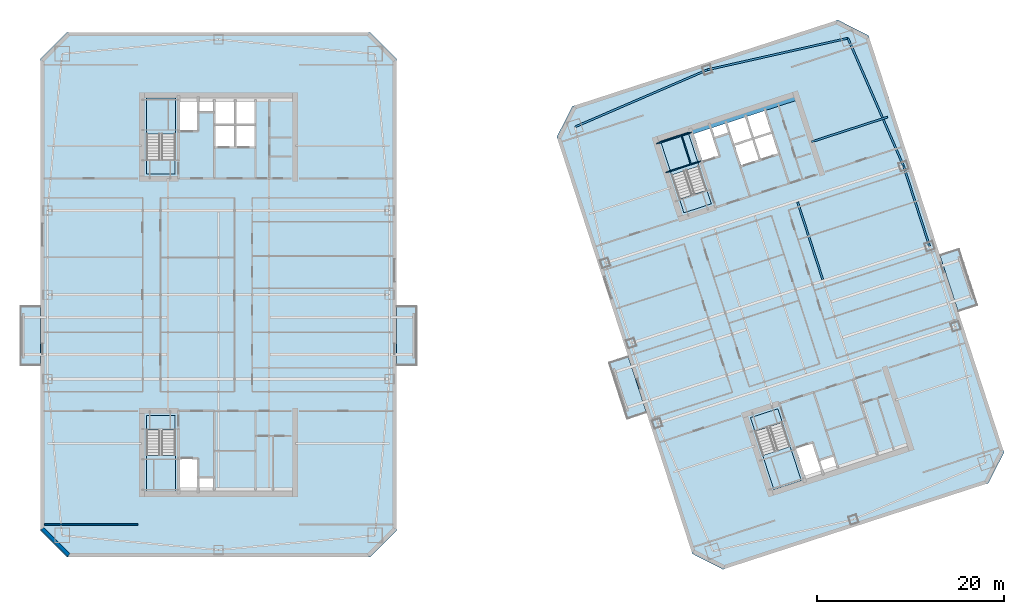
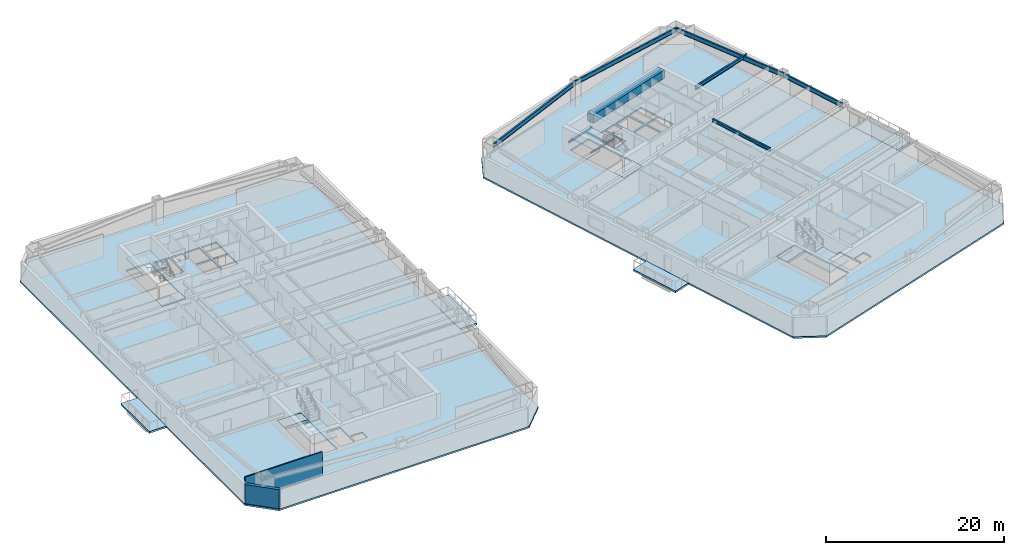
# One storey, part 3 of 14: 14 slabs, 10 beams, 2 walls, 4 elements without a shape of their own.
"""IFC4 building model written with IfcOpenShell, lengths in metres."""

from ifc_helpers import new_model, si_unit, direction, frame, frame_2d, origin, origin_2d, place, context, subcontext, project, spatial, polyline, rectangle, i_section, outline, extrude, material, layer, layer_set, material_profile, profile_set, type_object, element, aggregate, save


model = new_model("IFC4")

# Units and contexts
model_context = context("Model", 3, precision=1e-05, world=origin(), true_north=direction((0.0, 1.0)))
body_context = subcontext(model_context, "Body", "Model", "MODEL_VIEW")
ifc_project = project(units=[si_unit("LENGTHUNIT", "METRE"), si_unit("AREAUNIT", "SQUARE_METRE"), si_unit("VOLUMEUNIT", "CUBIC_METRE"), si_unit("PLANEANGLEUNIT", "RADIAN"), si_unit("MASSUNIT", "GRAM", prefix="KILO")], contexts=[model_context])

# Site, building, storey
site_placement = place(None, origin())
site = spatial("IfcSite", under=ifc_project, at=site_placement, CompositionType="ELEMENT")
building_placement = place(site_placement, origin())
building = spatial("IfcBuilding", under=site, at=building_placement, Name="Qiaolan Cultural Towers", CompositionType="ELEMENT")
storey_placement = place(building_placement, frame((0.0, 0.0, 124.199951171875)))
storey = spatial("IfcBuildingStorey", under=building, at=storey_placement, Name="L32", CompositionType="ELEMENT", Elevation=124.199951171875)

# Beams
ifc_material_1 = material(Name="Steel Q355B", Category="steel")
ifc_material_profile_1 = material_profile(ifc_material_1, i_section(OverallWidth=0.199951171875, OverallDepth=0.39990234375, WebThickness=0.008056640625, FlangeThickness=0.012939453125, at=origin_2d()), Name="HN400x200x8x13")
ifc_profile_set_1 = profile_set([ifc_material_profile_1], Name="Steel Q355B")
beam_type_1 = type_object("IfcBeamType", Name="BM-JST-HN400x200x8x13", PredefinedType="JOIST", material=ifc_profile_set_1)
beam_1_placement = place(storey_placement, frame((94.518798828125, 35.6259765625, 2.989990234375), z_axis=(-0.309020714809, 0.951055307445, 0.0), x_axis=(-0.951055307445, -0.309020714809, 0.0)))
element("IfcBeam", 1, at=beam_1_placement, inside=storey, type_object=beam_type_1, Name="L32 T2 Secondary Floor Joist U3-3", PredefinedType="JOIST", context=body_context, shape_type="SweptSolid", body=[
    extrude(i_section(OverallWidth=0.199951171875, OverallDepth=0.39990234375, WebThickness=0.008056640625, FlangeThickness=0.012939453125, at=origin_2d()), origin(), (0.0, 0.0, 1.0), 8.699951171875),
])
ifc_material_2 = material(Name="Steel Q355B", Category="steel")
ifc_material_profile_2 = material_profile(ifc_material_2, i_section(OverallWidth=0.199951171875, OverallDepth=0.449951171875, WebThickness=0.009033203125, FlangeThickness=0.013916015625, at=origin_2d()), Name="HN450x200x9x14")
ifc_profile_set_2 = profile_set([ifc_material_profile_2], Name="Steel Q355B")
beam_type_2 = type_object("IfcBeamType", Name="BM-LNT-HN450x200x9x14", PredefinedType="LINTEL", material=ifc_profile_set_2)
beam_2_placement = place(storey_placement, frame((93.31787109375, 50.32421875, 2.965087890625), z_axis=(0.951057358187, 0.309014403287, 0.0), x_axis=(-0.309014403287, 0.951057358187, 0.0)))
element("IfcBeam", 2, at=beam_2_placement, inside=storey, type_object=beam_type_2, Name="L32 T2 Core Flank Tie Lintel EN", PredefinedType="LINTEL", context=body_context, shape_type="SweptSolid", body=[
    extrude(i_section(OverallWidth=0.199951171875, OverallDepth=0.449951171875, WebThickness=0.009033203125, FlangeThickness=0.013916015625, at=origin_2d()), origin(), (0.0, 0.0, 1.0), 8.550048828125),
])
ifc_material_3 = material(Name="Concrete C50", Category="concrete")
ifc_material_profile_3 = material_profile(ifc_material_3, rectangle(XDim=0.89990234375, YDim=1.10009765625, at=origin_2d()), Name="RC900x1100")
ifc_profile_set_3 = profile_set([ifc_material_profile_3], Name="Concrete C50")
beam_type_3 = type_object("IfcBeamType", Name="BM-RC900x1100", PredefinedType="BEAM", material=ifc_profile_set_3)
beam_3_placement = place(storey_placement, frame((80.427978515625, 51.551025390625, 2.64013671875), z_axis=(0.951056266386, 0.309017763514, 0.0), x_axis=(-0.309017763514, 0.951056266386, 0.0)))
element("IfcBeam", 3, at=beam_3_placement, inside=storey, type_object=beam_type_3, Name="L32 T2 Core Header Girder N", PredefinedType="BEAM", context=body_context, shape_type="SweptSolid", body=[
    extrude(rectangle(XDim=0.89990234375, YDim=1.10009765625, at=origin_2d()), origin(), (0.0, 0.0, 1.0), 11.880126953125),
])
ifc_material_4 = material(Name="Steel Q355B", Category="steel")
ifc_material_profile_4 = material_profile(ifc_material_4, i_section(OverallWidth=0.199951171875, OverallDepth=0.60009765625, WebThickness=0.010986328125, FlangeThickness=0.01708984375, at=origin_2d()), Name="HN600x200x11x17")
ifc_profile_set_4 = profile_set([ifc_material_profile_4], Name="Steel Q355B")
beam_type_4 = type_object("IfcBeamType", Name="BM-SPD-HN600x200x11x17", PredefinedType="SPANDREL", material=ifc_profile_set_4)
beam_4_placement = place(storey_placement, frame((105.93017578125, 39.176025390625, 2.89013671875), z_axis=(-0.309024734286, 0.951054001411, 0.0), x_axis=(-0.951054001411, -0.309024734286, 0.0)))
element("IfcBeam", 4, at=beam_4_placement, inside=storey, type_object=beam_type_4, Name="L32 T2 Perimeter Spandrel Beam 5", PredefinedType="SPANDREL", context=body_context, shape_type="SweptSolid", body=[
    extrude(i_section(OverallWidth=0.199951171875, OverallDepth=0.60009765625, WebThickness=0.010986328125, FlangeThickness=0.01708984375, at=origin_2d()), origin(), (0.0, 0.0, 1.0), 9.0),
])
beam_5_placement = place(storey_placement, frame((103.14892578125, 47.735595703125, 2.89013671875), z_axis=(-0.398920370799, 0.916985571185, 0.0), x_axis=(-0.916985571185, -0.398920370799, 0.0)))
element("IfcBeam", 5, at=beam_5_placement, inside=storey, type_object=beam_type_4, Name="L32 T2 Perimeter Spandrel Beam 6", PredefinedType="SPANDREL", context=body_context, shape_type="SweptSolid", body=[
    extrude(i_section(OverallWidth=0.199951171875, OverallDepth=0.60009765625, WebThickness=0.010986328125, FlangeThickness=0.01708984375, at=origin_2d()), origin(), (0.0, 0.0, 1.0), 14.888916015625),
])
beam_6_placement = place(storey_placement, frame((97.20947265625, 61.388427734375, 2.89013671875), z_axis=(-0.975658154374, -0.219296980836, 0.0), x_axis=(0.219296980836, -0.975658154374, 0.0)))
element("IfcBeam", 6, at=beam_6_placement, inside=storey, type_object=beam_type_4, Name="L32 T2 Perimeter Spandrel Beam 7", PredefinedType="SPANDREL", context=body_context, shape_type="SweptSolid", body=[
    extrude(i_section(OverallWidth=0.199951171875, OverallDepth=0.60009765625, WebThickness=0.010986328125, FlangeThickness=0.01708984375, at=origin_2d()), origin(), (0.0, 0.0, 1.0), 15.38671875),
])
beam_7_placement = place(storey_placement, frame((82.197265625, 58.01416015625, 2.89013671875), z_axis=(-0.918217549337, -0.396076422032, 0.0), x_axis=(0.396076422032, -0.918217549337, 0.0)))
element("IfcBeam", 7, at=beam_7_placement, inside=storey, type_object=beam_type_4, Name="L32 T2 Perimeter Spandrel Beam 8", PredefinedType="SPANDREL", context=body_context, shape_type="SweptSolid", body=[
    extrude(i_section(OverallWidth=0.199951171875, OverallDepth=0.60009765625, WebThickness=0.010986328125, FlangeThickness=0.01708984375, at=origin_2d()), origin(), (0.0, 0.0, 1.0), 15.386474609375),
])
ifc_material_5 = material(Name="Steel Q355B", Category="steel")
ifc_material_profile_5 = material_profile(ifc_material_5, i_section(OverallWidth=0.10009765625, OverallDepth=0.199951171875, WebThickness=0.005615234375, FlangeThickness=0.008056640625, at=origin_2d()), Name="HN200x100x5.5x8")
ifc_profile_set_5 = profile_set([ifc_material_profile_5], Name="Steel Q355B")
beam_type_5 = type_object("IfcBeamType", Name="BM-STTRIM-200", PredefinedType="BEAM", material=ifc_profile_set_5)
for number, where, z_axis, x_axis, name in (
    (8, (77.769287109375, 47.0478515625, 1.425048828125), (0.951053746643, 0.309025518358, 0.0), (-0.309025518358, 0.951053746643, 0.0), "L32 ST-E2 Stair Landing Support Beam 1-1"),
    (9, (76.770751953125, 50.12109375, 1.425048828125), (0.951072048947, 0.3089691857, 0.0), (-0.3089691857, 0.951072048947, 0.0), "L32 ST-E2 Stair Landing Support Beam 1-2"),
):
    element("IfcBeam", number, at=place(storey_placement, frame(where, z_axis=z_axis, x_axis=x_axis)), inside=storey, type_object=beam_type_5, Name=name, PredefinedType="BEAM", context=body_context, shape_type="SweptSolid", body=[
        extrude(i_section(OverallWidth=0.10009765625, OverallDepth=0.199951171875, WebThickness=0.005615234375, FlangeThickness=0.008056640625, at=origin_2d()), origin(), (0.0, 0.0, 1.0), 3.920166015625),
    ])
beam_8_placement = place(storey_placement, frame((80.44189453125, 47.916259765625, 1.425048828125), z_axis=(-0.309033108495, 0.951051280349, 0.0), x_axis=(-0.951051280349, -0.309033108495, 0.0)))
element("IfcBeam", 10, at=beam_8_placement, inside=storey, type_object=beam_type_5, Name="L32 ST-E2 Stair Landing Trimmer 1", PredefinedType="BEAM", context=body_context, shape_type="SweptSolid", body=[
    extrude(i_section(OverallWidth=0.10009765625, OverallDepth=0.199951171875, WebThickness=0.005615234375, FlangeThickness=0.008056640625, at=origin_2d()), origin(), (0.0, 0.0, 1.0), 3.231201171875),
])

# Slabs
ifc_material_6 = material(Name="Concrete C45", Category="concrete")
ifc_layer_1 = layer(ifc_material_6, 0.239990234375)
ifc_layer_set_1 = layer_set([ifc_layer_1], Name="Concrete C45")
slab_type_1 = type_object("IfcSlabType", Name="SL-BAL-240", PredefinedType="FLOOR", material=ifc_layer_set_1)
slab_1_placement = place(storey_placement, frame((0.0, 0.0, -0.239990234375)))
element("IfcSlab", 11, at=slab_1_placement, inside=storey, type_object=slab_type_1, Name="L32 T1 Planted Tree Balcony W", PredefinedType="FLOOR", context=body_context, shape_type="SweptSolid", body=[
    extrude(outline(polyline([(8.800048828125, 26.39990234375), (11.0, 26.39990234375), (11.0, 32.800048828125), (8.800048828125, 32.800048828125), (8.800048828125, 26.39990234375)])), origin(), (0.0, 0.0, 1.0), 0.239990234375),
])
slab_2_placement = place(storey_placement, frame((0.0, 0.0, -0.239990234375)))
element("IfcSlab", 12, at=slab_2_placement, inside=storey, type_object=slab_type_1, Name="L32 T1 Planted Tree Balcony E", PredefinedType="FLOOR", context=body_context, shape_type="SweptSolid", body=[
    extrude(outline(polyline([(49.0, 26.39990234375), (51.199951171875, 26.39990234375), (51.199951171875, 32.800048828125), (49.0, 32.800048828125), (49.0, 26.39990234375)])), origin(), (0.0, 0.0, 1.0), 0.239990234375),
])
slab_3_placement = place(storey_placement, frame((0.0, 0.0, -0.239990234375)))
element("IfcSlab", 13, at=slab_3_placement, inside=storey, type_object=slab_type_1, Name="L32 T2 Planted Tree Balcony W", PredefinedType="FLOOR", context=body_context, shape_type="SweptSolid", body=[
    extrude(outline(polyline([(73.61279296875, 20.684326171875), (75.705078125, 21.3642578125), (73.727294921875, 27.450927734375), (71.635009765625, 26.77099609375), (73.61279296875, 20.684326171875)])), origin(), (0.0, 0.0, 1.0), 0.239990234375),
])
slab_4_placement = place(storey_placement, frame((0.0, 0.0, -0.239990234375)))
element("IfcSlab", 14, at=slab_4_placement, inside=storey, type_object=slab_type_1, Name="L32 T2 Planted Tree Balcony E", PredefinedType="FLOOR", context=body_context, shape_type="SweptSolid", body=[
    extrude(outline(polyline([(108.991943359375, 32.1796875), (111.084228515625, 32.859619140625), (109.106689453125, 38.9462890625), (107.014404296875, 38.2666015625), (108.991943359375, 32.1796875)])), origin(), (0.0, 0.0, 1.0), 0.239990234375),
])

# Stair, slab
ifc_material_7 = material(Name="Concrete C45", Category="concrete")
stair_type = type_object("IfcStairType", Name="STR-CORE-1500", PredefinedType="HALF_TURN_STAIR", material=ifc_material_7)
stair_1_placement = place(storey_placement, origin())
stair_1 = element("IfcStair", 15, at=stair_1_placement, inside=storey, type_object=stair_type, Name="L32 Smokeproof Exit Stair ST-W1", PredefinedType="HALF_TURN_STAIR")
ifc_material_8 = material(Name="Concrete C45", Category="concrete")
ifc_layer_2 = layer(ifc_material_8, 0.199951171875)
ifc_layer_set_2 = layer_set([ifc_layer_2], Name="Concrete C45")
slab_type_2 = type_object("IfcSlabType", Name="SL-STAIR-LAND", PredefinedType="LANDING", material=ifc_layer_set_2)
slab_5_placement = place(storey_placement, frame((0.0, 0.0, 1.525146484375)))
slab_5 = element("IfcSlab", 16, at=slab_5_placement, type_object=slab_type_2, Name="ST-W1 landing 1", PredefinedType="LANDING", context=body_context, shape_type="SweptSolid", body=[
    extrude(outline(polyline([(22.300048828125, 16.851318359375), (22.300048828125, 13.0), (25.3798828125, 13.0), (25.3798828125, 16.851318359375), (22.300048828125, 16.851318359375)])), origin(), (0.0, 0.0, 1.0), 0.199951171875),
])
aggregate(stair_1, [slab_5])

stair_2_placement = place(storey_placement, origin())
stair_2 = element("IfcStair", 17, at=stair_2_placement, inside=storey, type_object=stair_type, Name="L32 Smokeproof Exit Stair ST-W2", PredefinedType="HALF_TURN_STAIR")
slab_6_placement = place(storey_placement, frame((0.0, 0.0, 1.525146484375)))
slab_6 = element("IfcSlab", 18, at=slab_6_placement, type_object=slab_type_2, Name="ST-W2 landing 1", PredefinedType="LANDING", context=body_context, shape_type="SweptSolid", body=[
    extrude(outline(polyline([(25.3798828125, 51.148681640625), (25.3798828125, 55.0), (22.300048828125, 55.0), (22.300048828125, 51.148681640625), (25.3798828125, 51.148681640625)])), origin(), (0.0, 0.0, 1.0), 0.199951171875),
])
aggregate(stair_2, [slab_6])

stair_3_placement = place(storey_placement, origin())
stair_3 = element("IfcStair", 19, at=stair_3_placement, inside=storey, type_object=stair_type, Name="L32 Smokeproof Exit Stair ST-E1", PredefinedType="HALF_TURN_STAIR")
slab_7_placement = place(storey_placement, frame((0.0, 0.0, 1.525146484375)))
slab_7 = element("IfcSlab", 20, at=slab_7_placement, type_object=slab_type_2, Name="ST-E1 landing 1", PredefinedType="LANDING", context=body_context, shape_type="SweptSolid", body=[
    extrude(outline(polyline([(88.114013671875, 16.828125), (89.30419921875, 13.165283203125), (92.2333984375, 14.116943359375), (91.04345703125, 17.77978515625), (88.114013671875, 16.828125)])), origin(), (0.0, 0.0, 1.0), 0.199951171875),
])
aggregate(stair_3, [slab_7])

stair_4_placement = place(storey_placement, origin())
stair_4 = element("IfcStair", 21, at=stair_4_placement, inside=storey, type_object=stair_type, Name="L32 Smokeproof Exit Stair ST-E2", PredefinedType="HALF_TURN_STAIR")
slab_8_placement = place(storey_placement, frame((0.0, 0.0, 1.525146484375)))
slab_8 = element("IfcSlab", 22, at=slab_8_placement, type_object=slab_type_2, Name="ST-E2 landing 1", PredefinedType="LANDING", context=body_context, shape_type="SweptSolid", body=[
    extrude(outline(polyline([(81.31005859375, 47.735595703125), (80.1201171875, 51.3984375), (77.190673828125, 50.44677734375), (78.380859375, 46.783935546875), (81.31005859375, 47.735595703125)])), origin(), (0.0, 0.0, 1.0), 0.199951171875),
])
aggregate(stair_4, [slab_8])

# Slabs
ifc_material_9 = material(Name="Concrete C40", Category="concrete")
ifc_layer_3 = layer(ifc_material_9, 0.360107421875)
ifc_layer_set_3 = layer_set([ifc_layer_3], Name="Concrete C40")
slab_type_3 = type_object("IfcSlabType", Name="SL-STFLR-360", PredefinedType="LANDING", material=ifc_layer_set_3)
slab_9_placement = place(storey_placement, frame((0.0, 0.0, -0.35986328125)))
element("IfcSlab", 23, at=slab_9_placement, inside=storey, type_object=slab_type_3, Name="L32 ST-W1 Stair Floor Landing Slab", PredefinedType="LANDING", context=body_context, shape_type="SweptSolid", body=[
    extrude(outline(polyline([(22.302001953125, 21.097900390625), (22.302001953125, 19.548583984375), (25.3779296875, 19.548583984375), (25.3779296875, 21.097900390625), (22.302001953125, 21.097900390625)])), origin(), (0.0, 0.0, 1.0), 0.35986328125),
])
slab_10_placement = place(storey_placement, frame((0.0, 0.0, -0.35986328125)))
element("IfcSlab", 24, at=slab_10_placement, inside=storey, type_object=slab_type_3, Name="L32 ST-W2 Stair Floor Landing Slab", PredefinedType="LANDING", context=body_context, shape_type="SweptSolid", body=[
    extrude(outline(polyline([(25.3779296875, 46.902099609375), (25.3779296875, 48.451416015625), (22.302001953125, 48.451416015625), (22.302001953125, 46.902099609375), (25.3779296875, 46.902099609375)])), origin(), (0.0, 0.0, 1.0), 0.35986328125),
])
slab_11_placement = place(storey_placement, frame((0.0, 0.0, -0.35986328125)))
element("IfcSlab", 25, at=slab_11_placement, inside=storey, type_object=slab_type_3, Name="L32 ST-E1 Stair Floor Landing Slab", PredefinedType="LANDING", context=body_context, shape_type="SweptSolid", body=[
    extrude(outline(polyline([(86.8037109375, 20.867431640625), (87.282470703125, 19.39404296875), (90.2080078125, 20.3447265625), (89.729248046875, 21.818115234375), (86.8037109375, 20.867431640625)])), origin(), (0.0, 0.0, 1.0), 0.35986328125),
])
slab_12_placement = place(storey_placement, frame((0.0, 0.0, -0.35986328125)))
element("IfcSlab", 26, at=slab_12_placement, inside=storey, type_object=slab_type_3, Name="L32 ST-E2 Stair Floor Landing Slab", PredefinedType="LANDING", context=body_context, shape_type="SweptSolid", body=[
    extrude(outline(polyline([(82.62060546875, 43.6962890625), (82.141845703125, 45.169677734375), (79.21630859375, 44.21923828125), (79.695068359375, 42.74560546875), (82.62060546875, 43.6962890625)])), origin(), (0.0, 0.0, 1.0), 0.35986328125),
])
ifc_material_10 = material(Name="Concrete C45", Category="concrete")
ifc_layer_4 = layer(ifc_material_10, 0.219970703125)
ifc_layer_set_4 = layer_set([ifc_layer_4], Name="Concrete C45")
slab_type_4 = type_object("IfcSlabType", Name="SL-TYP-220", PredefinedType="FLOOR", material=ifc_layer_set_4)
slab_13_placement = place(storey_placement, frame((0.0, 0.0, -0.219970703125)))
element("IfcSlab", 27, at=slab_13_placement, inside=storey, type_object=slab_type_4, Name="L32 West Tower Floor Slab", PredefinedType="FLOOR", context=body_context, shape_type="SweptSolid", body=[
    extrude(outline(polyline([(13.800048828125, 6.0), (46.199951171875, 6.0), (49.0, 8.800048828125), (49.0, 59.199951171875), (46.199951171875, 62.0), (13.800048828125, 62.0), (11.0, 59.199951171875), (11.0, 8.800048828125), (13.800048828125, 6.0)]), holes=[polyline([(22.300048828125, 21.10009765625), (22.300048828125, 13.0), (25.3798828125, 13.0), (25.3798828125, 21.10009765625), (22.300048828125, 21.10009765625)]), polyline([(25.3798828125, 46.89990234375), (25.3798828125, 55.0), (22.300048828125, 55.0), (22.300048828125, 46.89990234375), (25.3798828125, 46.89990234375)]), polyline([(25.89990234375, 13.199951171875), (27.75, 13.199951171875), (27.75, 16.449951171875), (25.89990234375, 16.449951171875), (25.89990234375, 13.199951171875)]), polyline([(27.93994140625, 13.25), (29.449951171875, 13.25), (29.449951171875, 14.419921875), (27.93994140625, 14.419921875), (27.93994140625, 13.25)]), polyline([(25.89990234375, 51.550048828125), (27.75, 51.550048828125), (27.75, 54.800048828125), (25.89990234375, 54.800048828125), (25.89990234375, 51.550048828125)]), polyline([(27.93994140625, 53.580078125), (29.449951171875, 53.580078125), (29.449951171875, 54.75), (27.93994140625, 54.75), (27.93994140625, 53.580078125)]), polyline([(29.679931640625, 49.820068359375), (31.679931640625, 49.820068359375), (31.679931640625, 52.080078125), (29.679931640625, 52.080078125), (29.679931640625, 49.820068359375)]), polyline([(31.8798828125, 49.820068359375), (33.820068359375, 49.820068359375), (33.820068359375, 52.080078125), (31.8798828125, 52.080078125), (31.8798828125, 49.820068359375)]), polyline([(29.679931640625, 52.27001953125), (31.659912109375, 52.27001953125), (31.659912109375, 54.75), (29.679931640625, 54.75), (29.679931640625, 52.27001953125)]), polyline([(31.8798828125, 52.27001953125), (33.820068359375, 52.27001953125), (33.820068359375, 54.75), (31.8798828125, 54.75), (31.8798828125, 52.27001953125)])]), origin(), (0.0, 0.0, 1.0), 0.219970703125),
])
slab_14_placement = place(storey_placement, frame((0.0, 0.0, -0.219970703125)))
element("IfcSlab", 28, at=slab_14_placement, inside=storey, type_object=slab_type_4, Name="L32 East Tower Floor Slab", PredefinedType="FLOOR", context=body_context, shape_type="SweptSolid", body=[
    extrude(outline(polyline([(83.86376953125, 4.668212890625), (112.205078125, 13.876953125), (113.87451171875, 17.153076171875), (99.41259765625, 61.66259765625), (96.13623046875, 63.331787109375), (67.794921875, 54.123046875), (66.12548828125, 50.846923828125), (80.58740234375, 6.33740234375), (83.86376953125, 4.668212890625)]), holes=[polyline([(86.80126953125, 20.868896484375), (89.30419921875, 13.165283203125), (92.2333984375, 14.116943359375), (89.73046875, 21.820556640625), (86.80126953125, 20.868896484375)]), polyline([(82.623046875, 43.69482421875), (80.1201171875, 51.3984375), (77.190673828125, 50.44677734375), (79.69384765625, 42.7431640625), (82.623046875, 43.69482421875)]), polyline([(92.666259765625, 14.468017578125), (94.42578125, 15.03955078125), (93.42138671875, 18.130615234375), (91.661865234375, 17.558837890625), (92.666259765625, 14.468017578125)]), polyline([(94.5908203125, 15.14599609375), (96.027099609375, 15.612548828125), (95.66552734375, 16.725341796875), (94.2294921875, 16.258544921875), (94.5908203125, 15.14599609375)]), polyline([(81.6806640625, 48.278076171875), (83.440185546875, 48.849609375), (82.435791015625, 51.940673828125), (80.67626953125, 51.368896484375), (81.6806640625, 48.278076171875)]), polyline([(82.993408203125, 50.839111328125), (84.4296875, 51.3056640625), (84.068115234375, 52.41845703125), (82.632080078125, 51.95166015625), (82.993408203125, 50.839111328125)]), polyline([(85.810302734375, 47.80078125), (87.71240234375, 48.418701171875), (87.013916015625, 50.568115234375), (85.11181640625, 49.9501953125), (85.810302734375, 47.80078125)]), polyline([(87.902587890625, 48.480712890625), (89.74755859375, 49.080078125), (89.04931640625, 51.2294921875), (87.2041015625, 50.6298828125), (87.902587890625, 48.480712890625)]), polyline([(85.05322265625, 50.130859375), (86.936279296875, 50.74267578125), (86.169921875, 53.101318359375), (84.286865234375, 52.489501953125), (85.05322265625, 50.130859375)]), polyline([(87.1455078125, 50.810791015625), (88.990478515625, 51.41015625), (88.22412109375, 53.768798828125), (86.379150390625, 53.169189453125), (87.1455078125, 50.810791015625)])]), origin(), (0.0, 0.0, 1.0), 0.219970703125),
])

# Walls
ifc_material_11 = material(Name="Precast Concrete C50 Honed Stone Pier", Category="masonry")
ifc_layer_5 = layer(ifc_material_11, 0.39990234375)
ifc_layer_set_5 = layer_set([ifc_layer_5], Name="Precast Concrete C50 Honed Stone Pier")
wall_type_1 = type_object("IfcWallType", Name="WL-EXT-PIER-400", PredefinedType="SOLIDWALL", material=ifc_layer_set_5)
wall_1_placement = place(storey_placement, frame((14.0, 6.199951171875, 0.0), z_axis=(0.0, 0.0, 1.0), x_axis=(-0.707106781187, 0.707106781187, 0.0)))
element("IfcWall", 29, at=wall_1_placement, inside=storey, type_object=wall_type_1, Name="L32 West Tower Precast Pier Facade Wall F8", PredefinedType="SOLIDWALL", context=body_context, shape_type="SweptSolid", body=[
    extrude(rectangle(XDim=3.9599609375, YDim=0.39990234375, at=frame_2d((1.97998046875, 0.0))), origin(), (0.0, 0.0, 1.0), 2.610107421875),
])
ifc_material_12 = material(Name="Autoclaved Aerated Concrete Block B06", Category="concrete")
ifc_layer_6 = layer(ifc_material_12, 0.14990234375)
ifc_layer_set_6 = layer_set([ifc_layer_6], Name="Autoclaved Aerated Concrete Block B06")
wall_type_2 = type_object("IfcWallType", Name="WL-PART-150", PredefinedType="PARTITIONING", material=ifc_layer_set_6)
wall_2_placement = place(storey_placement, frame((11.39990234375, 9.449951171875, 0.0), z_axis=(0.0, 0.0, 1.0), x_axis=(1.0, 0.0, 0.0)))
element("IfcWall", 30, at=wall_2_placement, inside=storey, type_object=wall_type_2, Name="L32 T1 Flank Wall FLK-SW", PredefinedType="PARTITIONING", context=body_context, shape_type="SweptSolid", body=[
    extrude(rectangle(XDim=10.0, YDim=0.14990234375, at=frame_2d((5.0, 0.0))), origin(), (0.0, 0.0, 1.0), 3.175048828125),
])

save(model, "model.ifc")
